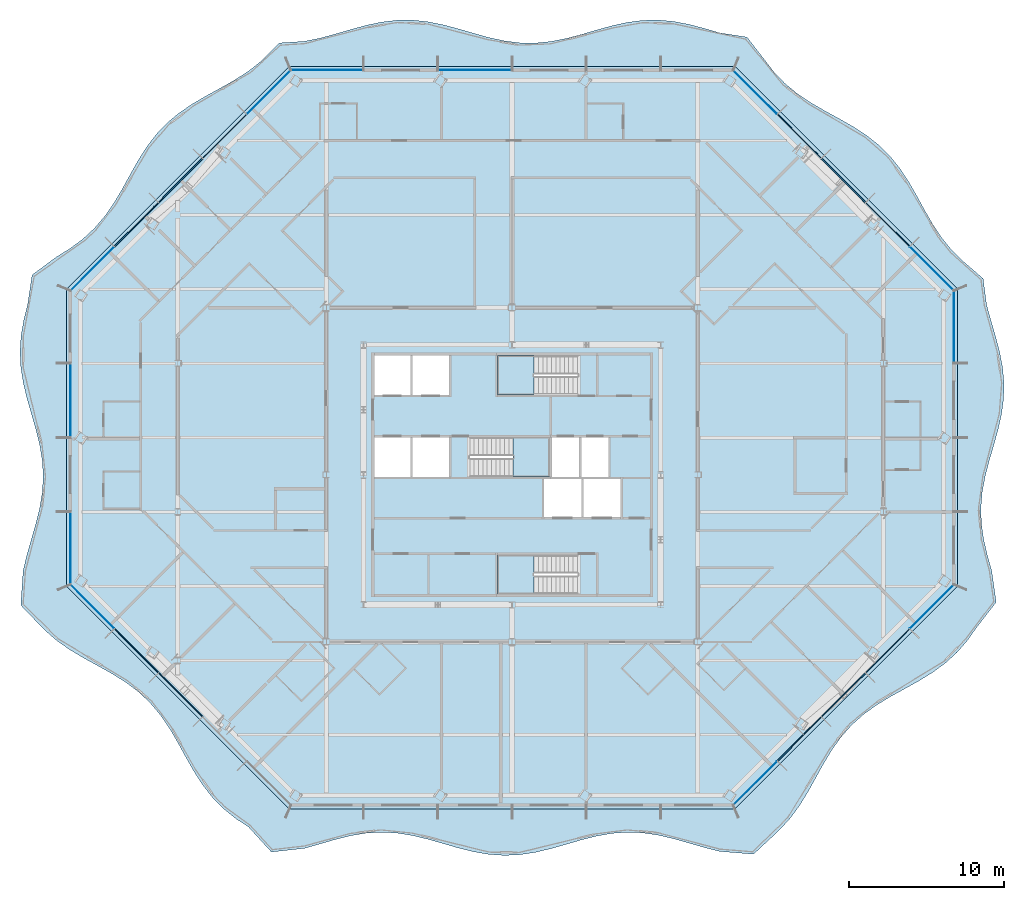
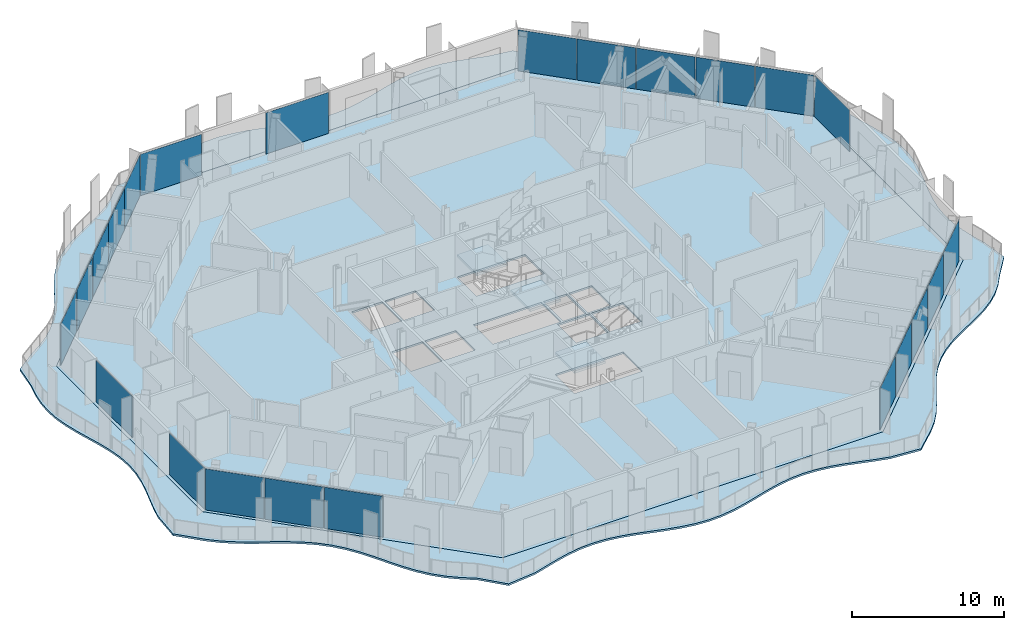
# One storey, part 6 of 21: 23 plates, 5 slabs, 10 elements without a shape of their own.
"""IFC4 building model written with IfcOpenShell, lengths in metres."""

import ifcopenshell
import ifcopenshell.guid

model = None  # the IFC model being written
_history = None  # IfcOwnerHistory: only IFC2X3 demands one
_inside = {}  # id of a spatial element -> (the spatial element, [elements in it])
_under = {}  # id of a project, library or spatial element -> (it, [spatial elements below it])
_declared = {}  # id of a project -> (the project, [libraries it declares])
_typed = {}  # id of a type object -> (the type object, [elements of that type])
_made_of = {}  # id of a material, layer set ... -> (it, [elements and type objects made of it])


def new_model(schema):
    """Start an empty IFC model of exactly this schema.

    Asked for "IFC4X3", IfcOpenShell would pick the latest addendum, in which some entities
    have other attributes; the version numbers below select the first issue.
    IFC2X3 requires an IfcOwnerHistory on every rooted entity: one is made here for all.
    """
    global model, _history
    if schema == "IFC4X3":
        model = ifcopenshell.file(schema_version=(4, 3, 0, 0))
    else:
        model = ifcopenshell.file(schema=schema)
    _inside.clear()
    _under.clear()
    _declared.clear()
    _typed.clear()
    _made_of.clear()
    _history = None
    if model.schema == "IFC2X3":
        org = make("IfcOrganization", Name="unknown")
        user = make(
            "IfcPersonAndOrganization",
            ThePerson=make("IfcPerson", FamilyName="unknown"),
            TheOrganization=org,
        )
        app = make(
            "IfcApplication",
            ApplicationDeveloper=org,
            Version="unknown",
            ApplicationFullName="unknown",
            ApplicationIdentifier="unknown",
        )
        _history = make(
            "IfcOwnerHistory",
            OwningUser=user,
            OwningApplication=app,
            ChangeAction="ADDED",
            CreationDate=0,
        )
    return model


def make(cls, **values):
    """One entity of the class cls with the attributes given. An attribute that is None is left unset."""
    return model.create_entity(
        cls, **{name: value for name, value in values.items() if value is not None}
    )


def rooted(cls, **values):
    """An entity with a GlobalId (a new one), such as an element, a storey or a relation."""
    return make(cls, GlobalId=ifcopenshell.guid.new(), OwnerHistory=_history, **values)


def si_unit(unit_type, name, prefix=None):
    """IfcSIUnit, for example si_unit("LENGTHUNIT", "METRE", prefix="MILLI")."""
    return make("IfcSIUnit", UnitType=unit_type, Prefix=prefix, Name=name)


def assignment(units):
    """IfcUnitAssignment: the units of a project."""
    return None if units is None else make("IfcUnitAssignment", Units=units)


def point(xyz):
    """IfcCartesianPoint."""
    return None if xyz is None else make("IfcCartesianPoint", Coordinates=xyz)


def direction(xyz):
    """IfcDirection."""
    return None if xyz is None else make("IfcDirection", DirectionRatios=xyz)


def frame(location, z_axis=None, x_axis=None):
    """IfcAxis2Placement3D, a coordinate frame: its origin and axes. An axis left out is left unset."""
    return make(
        "IfcAxis2Placement3D",
        Location=point(location),
        Axis=direction(z_axis),
        RefDirection=direction(x_axis),
    )


def frame_2d(location, x_axis=None):
    """IfcAxis2Placement2D, a coordinate frame in the plane: its origin and x axis."""
    return make(
        "IfcAxis2Placement2D", Location=point(location), RefDirection=direction(x_axis)
    )


def origin():
    """The frame at (0, 0, 0) with its axes left unset."""
    return frame((0.0, 0.0, 0.0))


def origin_2d():
    """The frame at (0, 0) in the plane with its x axis left unset."""
    return frame_2d((0.0, 0.0))


def place(relative_to, where):
    """IfcLocalPlacement: puts the frame where relative to a parent placement (None: the world)."""
    return make(
        "IfcLocalPlacement", PlacementRelTo=relative_to, RelativePlacement=where
    )


def context(
    kind, dimensions, precision=None, world=None, true_north=None, identifier=None
):
    """IfcGeometricRepresentationContext, for example the 3D "Model" context."""
    return make(
        "IfcGeometricRepresentationContext",
        ContextIdentifier=identifier,
        ContextType=kind,
        CoordinateSpaceDimension=dimensions,
        Precision=precision,
        WorldCoordinateSystem=world,
        TrueNorth=true_north,
    )


def subcontext(parent, identifier, kind, view, scale=None):
    """IfcGeometricRepresentationSubContext, for example "Body" below "Model"."""
    return make(
        "IfcGeometricRepresentationSubContext",
        ContextIdentifier=identifier,
        ContextType=kind,
        ParentContext=parent,
        TargetScale=scale,
        TargetView=view,
    )


def project(units=None, contexts=None):
    """IfcProject with its units and contexts."""
    return rooted(
        "IfcProject",
        Name="project",
        RepresentationContexts=contexts,
        UnitsInContext=assignment(units),
    )


def spatial(cls, under=None, at=None, **own):
    """A site, building, storey or space (cls), placed at a placement, below another one or the project."""
    s = rooted(cls, ObjectPlacement=at, **own)
    if under is not None:
        _under.setdefault(under.id(), (under, []))[1].append(s)
    return s


def polyline(points):
    """IfcPolyline through the points."""
    return make("IfcPolyline", Points=[point(p) for p in points])


def profile(cls, at=None, kind="AREA", **sizes):
    """A parametric profile (cls). Its sizes go by their IFC names, for example OverallWidth=200.0."""
    return make(cls, ProfileType=kind, Position=at, **sizes)


def rectangle(**sizes):
    """IfcRectangleProfileDef."""
    return profile("IfcRectangleProfileDef", **sizes)


def outline(outer, holes=None, kind="AREA"):
    """IfcArbitraryClosedProfileDef: a profile drawn as a closed curve; with holes, ...WithVoids."""
    if holes is None:
        return make("IfcArbitraryClosedProfileDef", ProfileType=kind, OuterCurve=outer)
    return make(
        "IfcArbitraryProfileDefWithVoids",
        ProfileType=kind,
        OuterCurve=outer,
        InnerCurves=holes,
    )


def extrude(swept, where, along, depth):
    """IfcExtrudedAreaSolid: the profile swept, set in the frame where, extruded along a direction by depth."""
    return make(
        "IfcExtrudedAreaSolid",
        SweptArea=swept,
        Position=where,
        ExtrudedDirection=direction(along),
        Depth=depth,
    )


def shape(context_of_items, identifier, shape_type, items):
    """IfcShapeRepresentation: the items that make up one representation, for example the "Body"."""
    return make(
        "IfcShapeRepresentation",
        ContextOfItems=context_of_items,
        RepresentationIdentifier=identifier,
        RepresentationType=shape_type,
        Items=items,
    )


def material(Name=None, Category=None):
    """IfcMaterial."""
    return make("IfcMaterial", Name=Name, Category=Category)


def layer(
    of_material, thickness, ventilated=None, Name=None, Category=None, Priority=None
):
    """IfcMaterialLayer: one layer of a wall or slab, of a material (None: an air gap)."""
    return make(
        "IfcMaterialLayer",
        Material=of_material,
        LayerThickness=thickness,
        IsVentilated=ventilated,
        Name=Name,
        Category=Category,
        Priority=Priority,
    )


def layer_set(layers, Name=None):
    """IfcMaterialLayerSet."""
    return make("IfcMaterialLayerSet", MaterialLayers=layers, LayerSetName=Name)


def made_of(thing, what):
    """Note that an element or type object is made of a material, layer set ...; save() writes the relation."""
    if what is not None:
        _made_of.setdefault(what.id(), (what, []))[1].append(thing)
    return thing


def type_object(cls, material=None, **own):
    """A type object (cls), such as IfcWallType, which elements share."""
    return made_of(rooted(cls, **own), material)


def element(
    cls,
    number,
    at=None,
    inside=None,
    cuts=None,
    type_object=None,
    material=None,
    context=None,
    identifier="Body",
    shape_type=None,
    held_by="IfcProductDefinitionShape",
    body=None,
    shapes=None,
    **own,
):
    """One element of the class cls, such as IfcWall. Its Tag is "e" and its number.

    at: its placement. inside: the storey or other place that contains it. cuts: it is an
    opening in that element (IfcRelVoidsElement). A single representation is given by context,
    identifier, shape_type and body (its items); several are given by shapes. held_by: the class
    of the entity that holds the representations. save() writes the other relations.
    """
    e = rooted(cls, Tag="e%d" % number, ObjectPlacement=at, **own)
    if body is not None:
        shapes = [shape(context, identifier, shape_type, body)]
    if shapes is not None:
        e.Representation = make(held_by, Representations=shapes)
    if inside is not None:
        _inside.setdefault(inside.id(), (inside, []))[1].append(e)
    if cuts is not None:
        rooted(
            "IfcRelVoidsElement", RelatingBuildingElement=cuts, RelatedOpeningElement=e
        )
    if type_object is not None:
        _typed.setdefault(type_object.id(), (type_object, []))[1].append(e)
    return made_of(e, material)


def aggregate(whole, parts):
    """IfcRelAggregates: a whole, such as a stair, and the parts it consists of."""
    return rooted("IfcRelAggregates", RelatingObject=whole, RelatedObjects=parts)


def save(model, path):
    """Write the relations noted so far, then the file.

    IfcRelAggregates (storeys below a building ...), IfcRelContainedInSpatialStructure (elements
    in a storey), IfcRelDefinesByType, IfcRelAssociatesMaterial and IfcRelDeclares: one each for
    every whole, place, type object, material and project.
    """
    for whole, parts in _under.values():
        aggregate(whole, parts)
    for where, things in _inside.values():
        rooted(
            "IfcRelContainedInSpatialStructure",
            RelatedElements=things,
            RelatingStructure=where,
        )
    for kind, things in _typed.values():
        rooted("IfcRelDefinesByType", RelatedObjects=things, RelatingType=kind)
    for what, things in _made_of.values():
        rooted("IfcRelAssociatesMaterial", RelatedObjects=things, RelatingMaterial=what)
    for by, libraries in _declared.values():
        rooted("IfcRelDeclares", RelatingContext=by, RelatedDefinitions=libraries)
    model.write(path)


model = new_model("IFC4")

# Units and contexts
model_context = context("Model", 3, precision=1e-05, world=origin(), true_north=direction((0.0, 1.0)))
body_context = subcontext(model_context, "Body", "Model", "MODEL_VIEW")
ifc_project = project(units=[si_unit("LENGTHUNIT", "METRE"), si_unit("AREAUNIT", "SQUARE_METRE"), si_unit("VOLUMEUNIT", "CUBIC_METRE"), si_unit("PLANEANGLEUNIT", "RADIAN"), si_unit("MASSUNIT", "GRAM", prefix="KILO")], contexts=[model_context])

# Site, building, storey
site_placement = place(None, origin())
site = spatial("IfcSite", under=ifc_project, at=site_placement, CompositionType="ELEMENT")
building_placement = place(site_placement, origin())
building = spatial("IfcBuilding", under=site, at=building_placement, Name="Cairn Pilgrim Tower", CompositionType="ELEMENT")
storey_placement = place(building_placement, frame((0.0, 0.0, 172.199951171875)))
storey = spatial("IfcBuildingStorey", under=building, at=storey_placement, Name="L43", CompositionType="ELEMENT", Elevation=172.199951171875)

# Slabs
ifc_material_1 = material(Name="Concrete C35/45", Category="concrete")
ifc_layer_1 = layer(ifc_material_1, 0.14990234375)
ifc_layer_set_1 = layer_set([ifc_layer_1], Name="BALCONY SLAB 150 CONCRETE C35/45")
slab_type_1 = type_object("IfcSlabType", Name="BALCONY SLAB 150 CONCRETE C35/45", PredefinedType="FLOOR", material=ifc_layer_set_1)
slab_1_placement = place(storey_placement, frame((0.0, 0.0, -0.14990234375)))
element("IfcSlab", 1, at=slab_1_placement, inside=storey, type_object=slab_type_1, Name="Balcony slab BS-1", PredefinedType="FLOOR", context=body_context, shape_type="SweptSolid", body=[
    extrude(outline(polyline([(-9.81591796875, -20.375732421875), (-8.3515625, -21.980224609375), (-6.206787109375, -21.73876953125), (-5.2138671875, -21.4541015625), (-4.220703125, -21.168701171875), (-3.2275390625, -20.925537109375), (-2.234375, -20.760986328125), (-1.241455078125, -20.7001953125), (-0.248291015625, -20.751708984375), (0.744873046875, -20.908203125), (1.738037109375, -21.146240234375), (2.73095703125, -21.4296875), (3.72412109375, -21.71630859375), (4.71728515625, -21.962890625), (5.71044921875, -22.13232421875), (6.703369140625, -22.199462890625), (7.696533203125, -22.154052734375), (8.689697265625, -22.002685546875), (9.682861328125, -21.7685546875), (10.67578125, -21.486572265625), (11.6689453125, -21.198974609375), (12.662109375, -20.94921875), (13.6552734375, -20.7744140625), (14.648193359375, -20.701416015625), (15.641357421875, -20.740478515625), (16.634521484375, -20.88623046875), (17.627685546875, -21.11669921875), (18.62060546875, -21.397216796875), (19.61376953125, -21.685546875), (20.60693359375, -21.938720703125), (22.808837890625, -22.1181640625), (24.43994140625, -20.599853515625), (25.133056640625, -19.85302734375), (25.746826171875, -19.02685546875), (26.298095703125, -18.13818359375), (26.813720703125, -17.213623046875), (27.32568359375, -16.28564453125), (27.86669921875, -15.38671875), (28.46533203125, -14.54541015625), (29.140625, -13.78076171875), (29.899658203125, -13.099609375), (30.736083984375, -12.49609375), (31.631591796875, -11.95166015625), (32.55859375, -11.438720703125), (33.484619140625, -10.924560546875), (34.376708984375, -10.376708984375), (35.2080078125, -9.767822265625), (35.9609375, -9.080810546875), (36.630126953125, -8.31005859375), (37.223876953125, -7.4638671875), (38.49169921875, -5.83203125), (38.198486328125, -3.78955078125), (37.913330078125, -2.779052734375), (37.680419921875, -1.768310546875), (37.5361328125, -0.7578125), (37.502685546875, 0.252685546875), (37.58544921875, 1.26318359375), (37.771484375, 2.273681640625), (38.031982421875, 3.2841796875), (38.326171875, 4.294677734375), (38.608642578125, 5.30517578125), (38.83544921875, 6.315673828125), (38.97119140625, 7.326416015625), (38.99462890625, 8.3369140625), (38.902587890625, 9.347412109375), (38.708984375, 10.35791015625), (38.444091796875, 11.368408203125), (38.149169921875, 12.37890625), (37.86962890625, 13.389404296875), (37.6494140625, 15.083251953125), (36.356201171875, 16.196044921875), (35.627197265625, 16.9072265625), (34.98095703125, 17.700927734375), (34.40576171875, 18.565673828125), (33.87841796875, 19.478515625), (33.369140625, 20.4091796875), (32.84423828125, 21.32421875), (32.273193359375, 22.193115234375), (31.63232421875, 22.9921875), (30.9091796875, 23.709228515625), (30.104248046875, 24.34423828125), (29.23095703125, 24.9111328125), (28.313720703125, 25.43359375), (27.383056640625, 25.943115234375), (26.472900390625, 26.472900390625), (25.61279296875, 27.052734375), (24.824951171875, 27.705078125), (24.1201171875, 28.440185546875), (23.495849609375, 29.255859375), (22.38330078125, 30.691162109375), (20.60693359375, 30.968505859375), (19.61376953125, 31.258056640625), (18.62060546875, 31.516357421875), (17.627685546875, 31.70458984375), (16.634521484375, 31.794677734375), (15.641357421875, 31.772705078125), (14.648193359375, 31.642333984375), (13.6552734375, 31.423095703125), (12.662109375, 31.147705078125), (11.6689453125, 30.857666015625), (10.67578125, 30.596435546875), (9.682861328125, 30.403564453125), (8.689697265625, 30.307373046875), (7.696533203125, 30.322998046875), (6.703369140625, 30.44775390625), (5.71044921875, 30.662841796875), (4.71728515625, 30.936279296875), (3.72412109375, 31.2265625), (2.73095703125, 31.490478515625), (1.738037109375, 31.688232421875), (0.744873046875, 31.7900390625), (-0.248291015625, 31.78076171875), (-1.241455078125, 31.661865234375), (-2.234375, 31.450927734375), (-3.2275390625, 31.179931640625), (-4.220703125, 30.88916015625), (-5.2138671875, 30.622802734375), (-6.206787109375, 30.42041015625), (-7.82666015625, 30.312744140625), (-8.992919921875, 29.15283203125), (-9.7978515625, 28.517822265625), (-10.671142578125, 27.951171875), (-11.58837890625, 27.428466796875), (-12.51904296875, 26.9189453125), (-13.42919921875, 26.38916015625), (-14.289306640625, 25.809326171875), (-15.076904296875, 25.156982421875), (-15.78173828125, 24.421875), (-16.406005859375, 23.60595703125), (-16.964599609375, 22.724609375), (-17.4833984375, 21.803466796875), (-17.993896484375, 20.873779296875), (-18.529052734375, 19.968994140625), (-19.1181640625, 19.1181640625), (-19.781982421875, 18.342041015625), (-20.529296875, 17.649169921875), (-21.355712890625, 17.03564453125), (-22.244384765625, 16.484375), (-23.81884765625, 15.319091796875), (-24.11083984375, 13.389404296875), (-24.3623046875, 12.37890625), (-24.5341796875, 11.368408203125), (-24.599853515625, 10.35791015625), (-24.548828125, 9.347412109375), (-24.38916015625, 8.3369140625), (-24.145751953125, 7.326416015625), (-23.8564453125, 6.315673828125), (-23.566162109375, 5.30517578125), (-23.31982421875, 4.294677734375), (-23.156005859375, 3.2841796875), (-23.10009765625, 2.273681640625), (-23.16064453125, 1.26318359375), (-23.328369140625, 0.252685546875), (-23.5771484375, -0.7578125), (-23.868408203125, -1.768310546875), (-24.15673828125, -2.779052734375), (-24.3974609375, -3.78955078125), (-24.552978515625, -6.023193359375), (-23.000732421875, -7.640869140625), (-22.22998046875, -8.309814453125), (-21.383544921875, -8.903564453125), (-20.4814453125, -9.44140625), (-19.552490234375, -9.952392578125), (-18.629638671875, -10.469482421875), (-17.744873046875, -11.02490234375), (-16.924072265625, -11.64404296875), (-16.183349609375, -12.34326171875), (-15.52587890625, -13.1259765625), (-14.94189453125, -13.981689453125), (-14.40966796875, -14.8896484375), (-13.899658203125, -15.81982421875), (-13.379150390625, -16.739013671875), (-12.81591796875, -17.615966796875), (-12.18603515625, -18.426025390625), (-11.474609375, -19.154541015625), (-10.6806640625, -19.80078125), (-9.81591796875, -20.375732421875)]), holes=[polyline([(21.60009765625, -19.199951171875), (-7.199951171875, -19.199951171875), (-21.60009765625, -4.800048828125), (-21.60009765625, 14.39990234375), (-7.199951171875, 28.800048828125), (21.60009765625, 28.800048828125), (36.0, 14.39990234375), (36.0, -4.800048828125), (21.60009765625, -19.199951171875)])]), origin(), (0.0, 0.0, 1.0), 0.14990234375),
])
ifc_layer_2 = layer(ifc_material_1, 0.14990234375)
ifc_layer_set_2 = layer_set([ifc_layer_2], Name="COMPOSITE FLOOR SLAB 150")
slab_type_2 = type_object("IfcSlabType", Name="COMPOSITE FLOOR SLAB 150", PredefinedType="FLOOR", material=ifc_layer_set_2)
slab_2_placement = place(storey_placement, frame((0.0, 0.0, -0.14990234375)))
element("IfcSlab", 2, at=slab_2_placement, inside=storey, type_object=slab_type_2, Name="FLOOR SLAB L43", PredefinedType="FLOOR", context=body_context, shape_type="SweptSolid", body=[
    extrude(outline(polyline([(-7.199951171875, -19.199951171875), (21.60009765625, -19.199951171875), (36.0, -4.800048828125), (36.0, 14.39990234375), (21.60009765625, 28.800048828125), (-7.199951171875, 28.800048828125), (-21.60009765625, 14.39990234375), (-21.60009765625, -4.800048828125), (-7.199951171875, -19.199951171875)]), holes=[polyline([(9.27490234375, -0.324951171875), (11.675048828125, -0.324951171875), (11.675048828125, 2.125), (9.27490234375, 2.125), (9.27490234375, -0.324951171875)]), polyline([(11.824951171875, -0.324951171875), (14.22509765625, -0.324951171875), (14.22509765625, 2.125), (11.824951171875, 2.125), (11.824951171875, -0.324951171875)]), polyline([(-1.72509765625, 2.27490234375), (0.625, 2.27490234375), (0.625, 4.824951171875), (-1.72509765625, 4.824951171875), (-1.72509765625, 2.27490234375)]), polyline([(0.77490234375, 2.27490234375), (3.125, 2.27490234375), (3.125, 4.824951171875), (0.77490234375, 4.824951171875), (0.77490234375, 2.27490234375)]), polyline([(-1.72509765625, 7.574951171875), (0.625, 7.574951171875), (0.625, 10.10009765625), (-1.72509765625, 10.10009765625), (-1.72509765625, 7.574951171875)]), polyline([(0.77490234375, 7.574951171875), (3.125, 7.574951171875), (3.125, 10.10009765625), (0.77490234375, 10.10009765625), (0.77490234375, 7.574951171875)]), polyline([(9.77490234375, 2.27490234375), (11.52490234375, 2.27490234375), (11.52490234375, 4.824951171875), (9.77490234375, 4.824951171875), (9.77490234375, 2.27490234375)]), polyline([(11.675048828125, 2.27490234375), (13.425048828125, 2.27490234375), (13.425048828125, 4.824951171875), (11.675048828125, 4.824951171875), (11.675048828125, 2.27490234375)]), polyline([(11.424560546875, -2.77490234375), (6.27490234375, -2.77490234375), (6.27490234375, -5.300048828125), (11.424560546875, -5.300048828125), (11.424560546875, -2.77490234375)]), polyline([(4.4755859375, 2.27490234375), (9.625, 2.27490234375), (9.625, 4.824951171875), (4.4755859375, 4.824951171875), (4.4755859375, 2.27490234375)]), polyline([(11.424560546875, 10.10009765625), (6.27490234375, 10.10009765625), (6.27490234375, 7.574951171875), (11.424560546875, 7.574951171875), (11.424560546875, 10.10009765625)])]), origin(), (0.0, 0.0, 1.0), 0.14990234375),
])

# Curtain wall, plates
ifc_material_2 = material(Name="Aluminium alloy 6063-T6 bronze anodised with Bronze tinted laminated low-E glass 8+16+8.8", Category="aluminium")
curtain_wall_type_1 = type_object("IfcCurtainWallType", Name="CHAMFER CORNER CURTAIN WALL", PredefinedType="NOTDEFINED", material=ifc_material_2)
curtain_wall_1_placement = place(storey_placement, origin())
curtain_wall_1 = element("IfcCurtainWall", 3, at=curtain_wall_1_placement, inside=storey, type_object=curtain_wall_type_1, Name="Chamfer Corner Curtain Wall SE", PredefinedType="NOTDEFINED")
ifc_material_3 = material(Name="Bronze anodised aluminium spandrel panel with mineral wool insulation", Category="aluminium")
ifc_layer_3 = layer(ifc_material_3, 0.06005859375)
ifc_layer_set_3 = layer_set([ifc_layer_3], Name="SPANDREL PANEL 3972x3300")
plate_type_1 = type_object("IfcPlateType", Name="SPANDREL PANEL 3972x3300", PredefinedType="CURTAIN_PANEL", material=ifc_layer_set_3)
plate_1_placement = place(storey_placement, frame((25.7724609375, -14.673828125, 0.0), z_axis=(0.0, 0.0, 1.0), x_axis=(0.707106781187, 0.707106781187, 0.0)))
plate_1 = element("IfcPlate", 4, at=plate_1_placement, type_object=plate_type_1, Name="Spandrel Panel SE2-1", PredefinedType="CURTAIN_PANEL", context=body_context, shape_type="SweptSolid", body=[
    extrude(rectangle(XDim=3.971435546875, YDim=0.06005859375, at=origin_2d()), origin(), (0.0, 0.0, 1.0), 3.300048828125),
])
plate_2_placement = place(storey_placement, frame((28.623291015625, -11.8232421875, 0.0), z_axis=(0.0, 0.0, 1.0), x_axis=(0.707106781187, 0.707106781187, 0.0)))
plate_2 = element("IfcPlate", 5, at=plate_2_placement, type_object=plate_type_1, Name="Spandrel Panel SE3-1", PredefinedType="CURTAIN_PANEL", context=body_context, shape_type="SweptSolid", body=[
    extrude(rectangle(XDim=3.971435546875, YDim=0.06005859375, at=origin_2d()), origin(), (0.0, 0.0, 1.0), 3.300048828125),
])
plate_3_placement = place(storey_placement, frame((31.473876953125, -8.972412109375, 0.0), z_axis=(0.0, 0.0, 1.0), x_axis=(0.707106781187, 0.707106781187, 0.0)))
plate_3 = element("IfcPlate", 6, at=plate_3_placement, type_object=plate_type_1, Name="Spandrel Panel SE4-1", PredefinedType="CURTAIN_PANEL", context=body_context, shape_type="SweptSolid", body=[
    extrude(rectangle(XDim=3.971435546875, YDim=0.06005859375, at=origin_2d()), origin(), (0.0, 0.0, 1.0), 3.300048828125),
])

curtain_wall_2_placement = place(storey_placement, origin())
curtain_wall_2 = element("IfcCurtainWall", 7, at=curtain_wall_2_placement, inside=storey, type_object=curtain_wall_type_1, Name="Chamfer Corner Curtain Wall NE", PredefinedType="NOTDEFINED")
plate_4_placement = place(storey_placement, frame((31.473876953125, 18.572509765625, 0.0), z_axis=(0.0, 0.0, 1.0), x_axis=(-0.707106781187, 0.707106781187, 0.0)))
plate_4 = element("IfcPlate", 8, at=plate_4_placement, type_object=plate_type_1, Name="Spandrel Panel NE2-1", PredefinedType="CURTAIN_PANEL", context=body_context, shape_type="SweptSolid", body=[
    extrude(rectangle(XDim=3.971435546875, YDim=0.06005859375, at=origin_2d()), origin(), (0.0, 0.0, 1.0), 3.300048828125),
])
plate_5_placement = place(storey_placement, frame((28.623291015625, 21.42333984375, 0.0), z_axis=(0.0, 0.0, 1.0), x_axis=(-0.707106781187, 0.707106781187, 0.0)))
plate_5 = element("IfcPlate", 9, at=plate_5_placement, type_object=plate_type_1, Name="Spandrel Panel NE3-1", PredefinedType="CURTAIN_PANEL", context=body_context, shape_type="SweptSolid", body=[
    extrude(rectangle(XDim=3.971435546875, YDim=0.06005859375, at=origin_2d()), origin(), (0.0, 0.0, 1.0), 3.300048828125),
])
plate_6_placement = place(storey_placement, frame((25.7724609375, 24.27392578125, 0.0), z_axis=(0.0, 0.0, 1.0), x_axis=(-0.707106781187, 0.707106781187, 0.0)))
plate_6 = element("IfcPlate", 10, at=plate_6_placement, type_object=plate_type_1, Name="Spandrel Panel NE4-1", PredefinedType="CURTAIN_PANEL", context=body_context, shape_type="SweptSolid", body=[
    extrude(rectangle(XDim=3.971435546875, YDim=0.06005859375, at=origin_2d()), origin(), (0.0, 0.0, 1.0), 3.300048828125),
])

curtain_wall_3_placement = place(storey_placement, origin())
curtain_wall_3 = element("IfcCurtainWall", 11, at=curtain_wall_3_placement, inside=storey, type_object=curtain_wall_type_1, Name="Chamfer Corner Curtain Wall NW", PredefinedType="NOTDEFINED")
plate_7_placement = place(storey_placement, frame((-11.37255859375, 24.27392578125, 0.0), z_axis=(0.0, 0.0, 1.0), x_axis=(-0.707106781187, -0.707106781187, 0.0)))
plate_7 = element("IfcPlate", 12, at=plate_7_placement, type_object=plate_type_1, Name="Spandrel Panel NW2-1", PredefinedType="CURTAIN_PANEL", context=body_context, shape_type="SweptSolid", body=[
    extrude(rectangle(XDim=3.971435546875, YDim=0.06005859375, at=origin_2d()), origin(), (0.0, 0.0, 1.0), 3.300048828125),
])
plate_8_placement = place(storey_placement, frame((-14.22314453125, 21.42333984375, 0.0), z_axis=(0.0, 0.0, 1.0), x_axis=(-0.707106781187, -0.707106781187, 0.0)))
plate_8 = element("IfcPlate", 13, at=plate_8_placement, type_object=plate_type_1, Name="Spandrel Panel NW3-1", PredefinedType="CURTAIN_PANEL", context=body_context, shape_type="SweptSolid", body=[
    extrude(rectangle(XDim=3.971435546875, YDim=0.06005859375, at=origin_2d()), origin(), (0.0, 0.0, 1.0), 3.300048828125),
])
plate_9_placement = place(storey_placement, frame((-17.073974609375, 18.572509765625, 0.0), z_axis=(0.0, 0.0, 1.0), x_axis=(-0.707106781187, -0.707106781187, 0.0)))
plate_9 = element("IfcPlate", 14, at=plate_9_placement, type_object=plate_type_1, Name="Spandrel Panel NW4-1", PredefinedType="CURTAIN_PANEL", context=body_context, shape_type="SweptSolid", body=[
    extrude(rectangle(XDim=3.971435546875, YDim=0.06005859375, at=origin_2d()), origin(), (0.0, 0.0, 1.0), 3.300048828125),
])

curtain_wall_4_placement = place(storey_placement, origin())
curtain_wall_4 = element("IfcCurtainWall", 15, at=curtain_wall_4_placement, inside=storey, type_object=curtain_wall_type_1, Name="Chamfer Corner Curtain Wall SW", PredefinedType="NOTDEFINED")
plate_10_placement = place(storey_placement, frame((-17.073974609375, -8.972412109375, 0.0), z_axis=(0.0, 0.0, 1.0), x_axis=(0.707106781187, -0.707106781187, 0.0)))
plate_10 = element("IfcPlate", 16, at=plate_10_placement, type_object=plate_type_1, Name="Spandrel Panel SW2-1", PredefinedType="CURTAIN_PANEL", context=body_context, shape_type="SweptSolid", body=[
    extrude(rectangle(XDim=3.971435546875, YDim=0.06005859375, at=origin_2d()), origin(), (0.0, 0.0, 1.0), 3.300048828125),
])
plate_11_placement = place(storey_placement, frame((-14.22314453125, -11.8232421875, 0.0), z_axis=(0.0, 0.0, 1.0), x_axis=(0.707106781187, -0.707106781187, 0.0)))
plate_11 = element("IfcPlate", 17, at=plate_11_placement, type_object=plate_type_1, Name="Spandrel Panel SW3-1", PredefinedType="CURTAIN_PANEL", context=body_context, shape_type="SweptSolid", body=[
    extrude(rectangle(XDim=3.971435546875, YDim=0.06005859375, at=origin_2d()), origin(), (0.0, 0.0, 1.0), 3.300048828125),
])

# Stair, slab
ifc_material_4 = material(Name="Concrete C32/40", Category="concrete")
stair_type = type_object("IfcStairType", Name="EXIT STAIR 1200", PredefinedType="HALF_TURN_STAIR", material=ifc_material_4)
stair_1_placement = place(storey_placement, origin())
stair_1 = element("IfcStair", 18, at=stair_1_placement, inside=storey, type_object=stair_type, Name="L43 Exit Stair A", PredefinedType="HALF_TURN_STAIR")
ifc_layer_4 = layer(ifc_material_4, 0.199951171875)
ifc_layer_set_4 = layer_set([ifc_layer_4], Name="STAIR LANDING 200")
slab_type_3 = type_object("IfcSlabType", Name="STAIR LANDING 200", PredefinedType="LANDING", material=ifc_layer_set_4)
slab_3_placement = place(storey_placement, frame((0.0, 0.0, 1.60009765625)))
slab_3 = element("IfcSlab", 19, at=slab_3_placement, type_object=slab_type_3, Name="ST-A landing 1", PredefinedType="LANDING", context=body_context, shape_type="SweptSolid", body=[
    extrude(outline(polyline([(8.625, -2.77490234375), (6.27490234375, -2.77490234375), (6.27490234375, -5.300048828125), (8.625, -5.300048828125), (8.625, -2.77490234375)])), origin(), (0.0, 0.0, 1.0), 0.199951171875),
])
aggregate(stair_1, [slab_3])

stair_2_placement = place(storey_placement, origin())
stair_2 = element("IfcStair", 20, at=stair_2_placement, inside=storey, type_object=stair_type, Name="L43 Exit Stair B", PredefinedType="HALF_TURN_STAIR")
slab_4_placement = place(storey_placement, frame((0.0, 0.0, 1.60009765625)))
slab_4 = element("IfcSlab", 21, at=slab_4_placement, type_object=slab_type_3, Name="ST-B landing 1", PredefinedType="LANDING", context=body_context, shape_type="SweptSolid", body=[
    extrude(outline(polyline([(7.27490234375, 2.27490234375), (9.625, 2.27490234375), (9.625, 4.824951171875), (7.27490234375, 4.824951171875), (7.27490234375, 2.27490234375)])), origin(), (0.0, 0.0, 1.0), 0.199951171875),
])
aggregate(stair_2, [slab_4])

stair_3_placement = place(storey_placement, origin())
stair_3 = element("IfcStair", 22, at=stair_3_placement, inside=storey, type_object=stair_type, Name="L43 Exit Stair C", PredefinedType="HALF_TURN_STAIR")
slab_5_placement = place(storey_placement, frame((0.0, 0.0, 1.60009765625)))
slab_5 = element("IfcSlab", 23, at=slab_5_placement, type_object=slab_type_3, Name="ST-C landing 1", PredefinedType="LANDING", context=body_context, shape_type="SweptSolid", body=[
    extrude(outline(polyline([(8.625, 10.10009765625), (6.27490234375, 10.10009765625), (6.27490234375, 7.574951171875), (8.625, 7.574951171875), (8.625, 10.10009765625)])), origin(), (0.0, 0.0, 1.0), 0.199951171875),
])
aggregate(stair_3, [slab_5])

# Plate
ifc_material_5 = material(Name="Bronze tinted laminated low-E glass 8+16+8.8", Category="glass")
ifc_layer_5 = layer(ifc_material_5, 0.033935546875)
ifc_layer_set_5 = layer_set([ifc_layer_5], Name="VISION GLAZING 3962x3300")
plate_type_2 = type_object("IfcPlateType", Name="VISION GLAZING 3962x3300", PredefinedType="CURTAIN_PANEL", material=ifc_layer_set_5)
plate_12_placement = place(storey_placement, frame((22.92529296875, -17.52099609375, 0.0), z_axis=(0.0, 0.0, 1.0), x_axis=(0.707106781187, 0.707106781187, 0.0)))
plate_12 = element("IfcPlate", 24, at=plate_12_placement, type_object=plate_type_2, Name="Vision Glazing SE1-1", PredefinedType="CURTAIN_PANEL", context=body_context, shape_type="SweptSolid", body=[
    extrude(rectangle(XDim=3.96142578125, YDim=0.033935546875, at=origin_2d()), origin(), (0.0, 0.0, 1.0), 3.300048828125),
])

plate_13_placement = place(storey_placement, frame((34.321044921875, -6.125244140625, 0.0), z_axis=(0.0, 0.0, 1.0), x_axis=(0.707106781187, 0.707106781187, 0.0)))
plate_13 = element("IfcPlate", 25, at=plate_13_placement, type_object=plate_type_2, Name="Vision Glazing SE5-1", PredefinedType="CURTAIN_PANEL", context=body_context, shape_type="SweptSolid", body=[
    extrude(rectangle(XDim=3.96142578125, YDim=0.033935546875, at=origin_2d()), origin(), (0.0, 0.0, 1.0), 3.300048828125),
])

aggregate(curtain_wall_1, [plate_12, plate_1, plate_2, plate_3, plate_13])

plate_14_placement = place(storey_placement, frame((34.321044921875, 15.725341796875, 0.0), z_axis=(0.0, 0.0, 1.0), x_axis=(-0.707106781187, 0.707106781187, 0.0)))
plate_14 = element("IfcPlate", 26, at=plate_14_placement, type_object=plate_type_2, Name="Vision Glazing NE1-1", PredefinedType="CURTAIN_PANEL", context=body_context, shape_type="SweptSolid", body=[
    extrude(rectangle(XDim=3.96142578125, YDim=0.033935546875, at=origin_2d()), origin(), (0.0, 0.0, 1.0), 3.300048828125),
])

plate_15_placement = place(storey_placement, frame((22.92529296875, 27.12109375, 0.0), z_axis=(0.0, 0.0, 1.0), x_axis=(-0.707106781187, 0.707106781187, 0.0)))
plate_15 = element("IfcPlate", 27, at=plate_15_placement, type_object=plate_type_2, Name="Vision Glazing NE5-1", PredefinedType="CURTAIN_PANEL", context=body_context, shape_type="SweptSolid", body=[
    extrude(rectangle(XDim=3.96142578125, YDim=0.033935546875, at=origin_2d()), origin(), (0.0, 0.0, 1.0), 3.300048828125),
])

aggregate(curtain_wall_2, [plate_14, plate_4, plate_5, plate_6, plate_15])

plate_16_placement = place(storey_placement, frame((-8.525390625, 27.12109375, 0.0), z_axis=(0.0, 0.0, 1.0), x_axis=(-0.707106781187, -0.707106781187, 0.0)))
plate_16 = element("IfcPlate", 28, at=plate_16_placement, type_object=plate_type_2, Name="Vision Glazing NW1-1", PredefinedType="CURTAIN_PANEL", context=body_context, shape_type="SweptSolid", body=[
    extrude(rectangle(XDim=3.96142578125, YDim=0.033935546875, at=origin_2d()), origin(), (0.0, 0.0, 1.0), 3.300048828125),
])

plate_17_placement = place(storey_placement, frame((-19.921142578125, 15.725341796875, 0.0), z_axis=(0.0, 0.0, 1.0), x_axis=(-0.707106781187, -0.707106781187, 0.0)))
plate_17 = element("IfcPlate", 29, at=plate_17_placement, type_object=plate_type_2, Name="Vision Glazing NW5-1", PredefinedType="CURTAIN_PANEL", context=body_context, shape_type="SweptSolid", body=[
    extrude(rectangle(XDim=3.96142578125, YDim=0.033935546875, at=origin_2d()), origin(), (0.0, 0.0, 1.0), 3.300048828125),
])

aggregate(curtain_wall_3, [plate_16, plate_7, plate_8, plate_9, plate_17])

plate_18_placement = place(storey_placement, frame((-19.921142578125, -6.125244140625, 0.0), z_axis=(0.0, 0.0, 1.0), x_axis=(0.707106781187, -0.707106781187, 0.0)))
plate_18 = element("IfcPlate", 30, at=plate_18_placement, type_object=plate_type_2, Name="Vision Glazing SW1-1", PredefinedType="CURTAIN_PANEL", context=body_context, shape_type="SweptSolid", body=[
    extrude(rectangle(XDim=3.96142578125, YDim=0.033935546875, at=origin_2d()), origin(), (0.0, 0.0, 1.0), 3.300048828125),
])

aggregate(curtain_wall_4, [plate_18, plate_10, plate_11])

# Curtain wall, plate
curtain_wall_type_2 = type_object("IfcCurtainWallType", Name="TOWER STICK CURTAIN WALL EW", PredefinedType="NOTDEFINED", material=ifc_material_2)
curtain_wall_5_placement = place(storey_placement, origin())
curtain_wall_5 = element("IfcCurtainWall", 31, at=curtain_wall_5_placement, inside=storey, type_object=curtain_wall_type_2, Name="Tower Stick Curtain Wall Ew E", PredefinedType="NOTDEFINED")
ifc_layer_6 = layer(ifc_material_5, 0.033935546875)
ifc_layer_set_6 = layer_set([ifc_layer_6], Name="VISION GLAZING 4626x3300")
plate_type_3 = type_object("IfcPlateType", Name="VISION GLAZING 4626x3300", PredefinedType="CURTAIN_PANEL", material=ifc_layer_set_6)
plate_19_placement = place(storey_placement, frame((35.75, 11.943115234375, 0.0), z_axis=(0.0, 0.0, 1.0), x_axis=(0.0, 1.0, 0.0)))
plate_19 = element("IfcPlate", 32, at=plate_19_placement, type_object=plate_type_3, Name="Vision Glazing E4-1", PredefinedType="CURTAIN_PANEL", context=body_context, shape_type="SweptSolid", body=[
    extrude(rectangle(XDim=4.62646484375, YDim=0.033935546875, at=origin_2d()), origin(), (0.0, 0.0, 1.0), 3.300048828125),
])
aggregate(curtain_wall_5, [plate_19])

curtain_wall_type_3 = type_object("IfcCurtainWallType", Name="TOWER STICK CURTAIN WALL NS", PredefinedType="NOTDEFINED", material=ifc_material_2)
curtain_wall_6_placement = place(storey_placement, origin())
curtain_wall_6 = element("IfcCurtainWall", 33, at=curtain_wall_6_placement, inside=storey, type_object=curtain_wall_type_3, Name="Tower Stick Curtain Wall Ns N", PredefinedType="NOTDEFINED")
plate_20_placement = place(storey_placement, frame((-4.7431640625, 28.550048828125, 0.0), z_axis=(0.0, 0.0, 1.0), x_axis=(-1.0, 0.0, 0.0)))
plate_20 = element("IfcPlate", 34, at=plate_20_placement, type_object=plate_type_3, Name="Vision Glazing N6-1", PredefinedType="CURTAIN_PANEL", context=body_context, shape_type="SweptSolid", body=[
    extrude(rectangle(XDim=4.62646484375, YDim=0.033935546875, at=origin_2d()), origin(), (0.0, 0.0, 1.0), 3.300048828125),
])

curtain_wall_7_placement = place(storey_placement, origin())
curtain_wall_7 = element("IfcCurtainWall", 35, at=curtain_wall_7_placement, inside=storey, type_object=curtain_wall_type_2, Name="Tower Stick Curtain Wall Ew W", PredefinedType="NOTDEFINED")
plate_21_placement = place(storey_placement, frame((-21.35009765625, -2.34326171875, 0.0), z_axis=(0.0, 0.0, 1.0), x_axis=(0.0, -1.0, 0.0)))
plate_21 = element("IfcPlate", 36, at=plate_21_placement, type_object=plate_type_3, Name="Vision Glazing W4-1", PredefinedType="CURTAIN_PANEL", context=body_context, shape_type="SweptSolid", body=[
    extrude(rectangle(XDim=4.62646484375, YDim=0.033935546875, at=origin_2d()), origin(), (0.0, 0.0, 1.0), 3.300048828125),
])

# Plate
ifc_layer_7 = layer(ifc_material_5, 0.033935546875)
ifc_layer_set_7 = layer_set([ifc_layer_7], Name="VISION GLAZING 4740x3300")
plate_type_4 = type_object("IfcPlateType", Name="VISION GLAZING 4740x3300", PredefinedType="CURTAIN_PANEL", material=ifc_layer_set_7)
plate_22_placement = place(storey_placement, frame((4.800048828125, 28.550048828125, 0.0), z_axis=(0.0, 0.0, 1.0), x_axis=(-1.0, 0.0, 0.0)))
plate_22 = element("IfcPlate", 37, at=plate_22_placement, type_object=plate_type_4, Name="Vision Glazing N4-1", PredefinedType="CURTAIN_PANEL", context=body_context, shape_type="SweptSolid", body=[
    extrude(rectangle(XDim=4.739990234375, YDim=0.033935546875, at=origin_2d()), origin(), (0.0, 0.0, 1.0), 3.300048828125),
])

aggregate(curtain_wall_6, [plate_22, plate_20])

plate_23_placement = place(storey_placement, frame((-21.35009765625, 7.199951171875, 0.0), z_axis=(0.0, 0.0, 1.0), x_axis=(0.0, -1.0, 0.0)))
plate_23 = element("IfcPlate", 38, at=plate_23_placement, type_object=plate_type_4, Name="Vision Glazing W2-1", PredefinedType="CURTAIN_PANEL", context=body_context, shape_type="SweptSolid", body=[
    extrude(rectangle(XDim=4.739990234375, YDim=0.033935546875, at=origin_2d()), origin(), (0.0, 0.0, 1.0), 3.300048828125),
])

aggregate(curtain_wall_7, [plate_23, plate_21])

save(model, "model.ifc")
